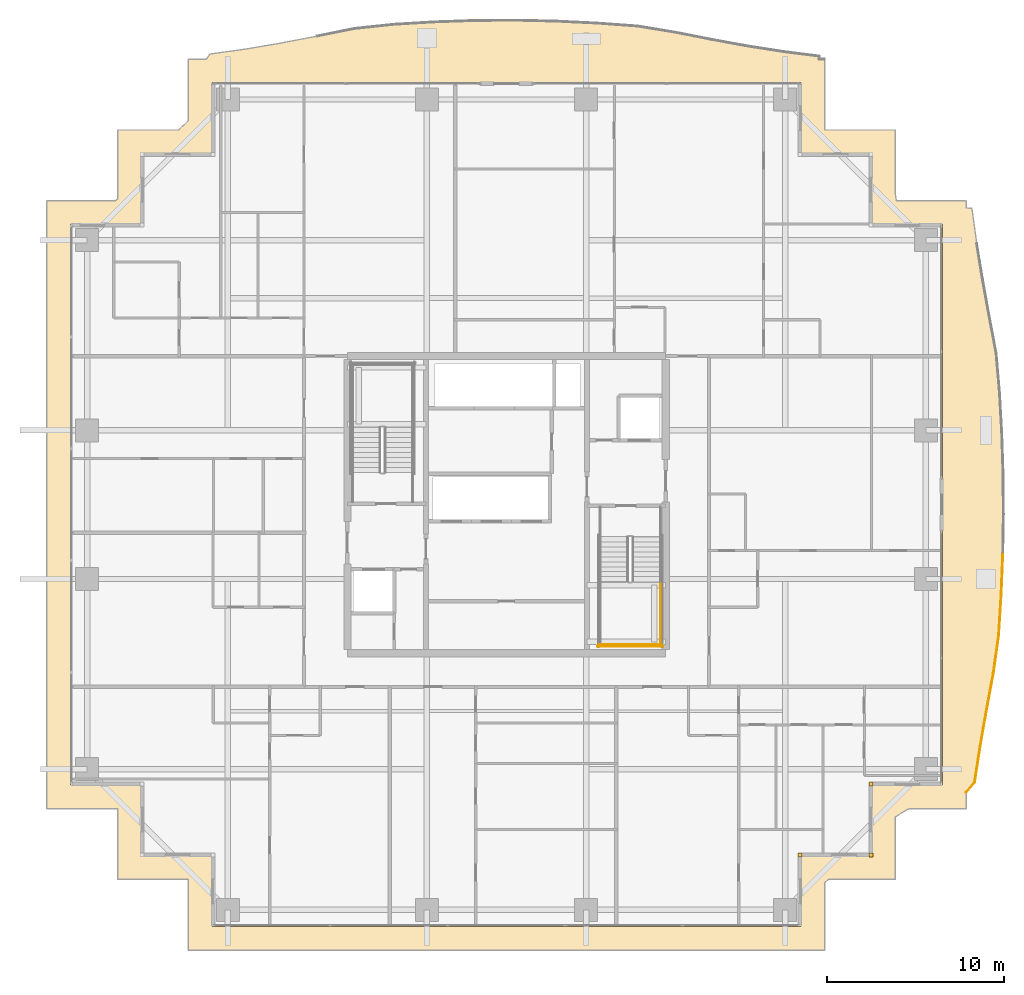
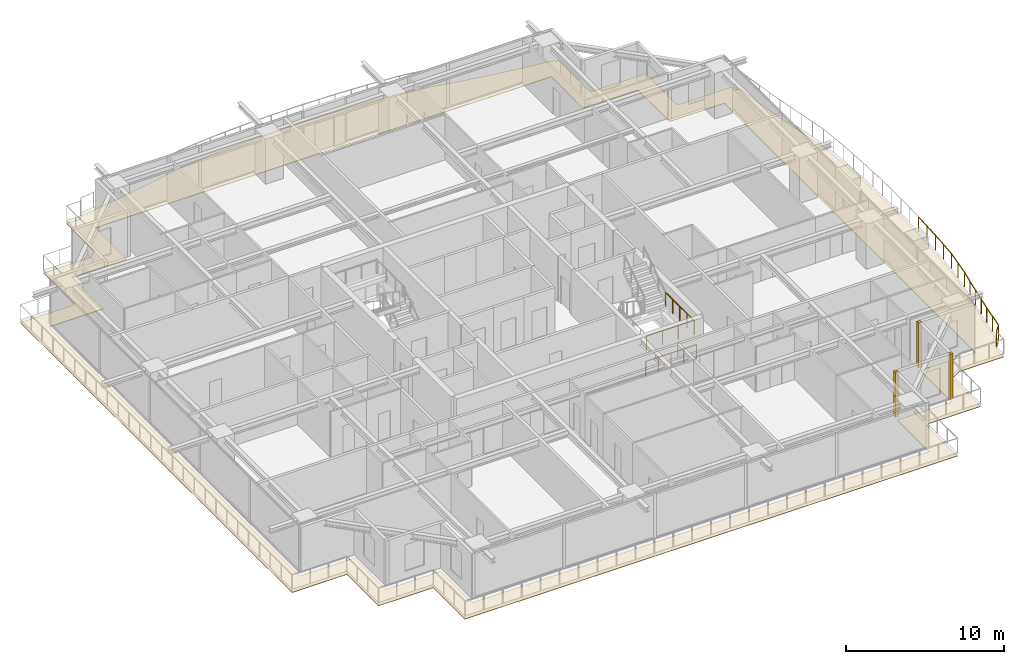
# One storey, part 31 of 33: 4 coverings, 4 railings.
"""IFC4 building model written with IfcOpenShell, lengths in metres."""

import ifcopenshell
import ifcopenshell.guid

model = None  # the IFC model being written
_history = None  # IfcOwnerHistory: only IFC2X3 demands one
_inside = {}  # id of a spatial element -> (the spatial element, [elements in it])
_under = {}  # id of a project, library or spatial element -> (it, [spatial elements below it])
_declared = {}  # id of a project -> (the project, [libraries it declares])
_typed = {}  # id of a type object -> (the type object, [elements of that type])
_made_of = {}  # id of a material, layer set ... -> (it, [elements and type objects made of it])


def new_model(schema):
    """Start an empty IFC model of exactly this schema.

    Asked for "IFC4X3", IfcOpenShell would pick the latest addendum, in which some entities
    have other attributes; the version numbers below select the first issue.
    IFC2X3 requires an IfcOwnerHistory on every rooted entity: one is made here for all.
    """
    global model, _history
    if schema == "IFC4X3":
        model = ifcopenshell.file(schema_version=(4, 3, 0, 0))
    else:
        model = ifcopenshell.file(schema=schema)
    _inside.clear()
    _under.clear()
    _declared.clear()
    _typed.clear()
    _made_of.clear()
    _history = None
    if model.schema == "IFC2X3":
        org = make("IfcOrganization", Name="unknown")
        user = make(
            "IfcPersonAndOrganization",
            ThePerson=make("IfcPerson", FamilyName="unknown"),
            TheOrganization=org,
        )
        app = make(
            "IfcApplication",
            ApplicationDeveloper=org,
            Version="unknown",
            ApplicationFullName="unknown",
            ApplicationIdentifier="unknown",
        )
        _history = make(
            "IfcOwnerHistory",
            OwningUser=user,
            OwningApplication=app,
            ChangeAction="ADDED",
            CreationDate=0,
        )
    return model


def make(cls, **values):
    """One entity of the class cls with the attributes given. An attribute that is None is left unset."""
    return model.create_entity(
        cls, **{name: value for name, value in values.items() if value is not None}
    )


def rooted(cls, **values):
    """An entity with a GlobalId (a new one), such as an element, a storey or a relation."""
    return make(cls, GlobalId=ifcopenshell.guid.new(), OwnerHistory=_history, **values)


def si_unit(unit_type, name, prefix=None):
    """IfcSIUnit, for example si_unit("LENGTHUNIT", "METRE", prefix="MILLI")."""
    return make("IfcSIUnit", UnitType=unit_type, Prefix=prefix, Name=name)


def assignment(units):
    """IfcUnitAssignment: the units of a project."""
    return None if units is None else make("IfcUnitAssignment", Units=units)


def point(xyz):
    """IfcCartesianPoint."""
    return None if xyz is None else make("IfcCartesianPoint", Coordinates=xyz)


def direction(xyz):
    """IfcDirection."""
    return None if xyz is None else make("IfcDirection", DirectionRatios=xyz)


def frame(location, z_axis=None, x_axis=None):
    """IfcAxis2Placement3D, a coordinate frame: its origin and axes. An axis left out is left unset."""
    return make(
        "IfcAxis2Placement3D",
        Location=point(location),
        Axis=direction(z_axis),
        RefDirection=direction(x_axis),
    )


def frame_2d(location, x_axis=None):
    """IfcAxis2Placement2D, a coordinate frame in the plane: its origin and x axis."""
    return make(
        "IfcAxis2Placement2D", Location=point(location), RefDirection=direction(x_axis)
    )


def origin():
    """The frame at (0, 0, 0) with its axes left unset."""
    return frame((0.0, 0.0, 0.0))


def origin_2d():
    """The frame at (0, 0) in the plane with its x axis left unset."""
    return frame_2d((0.0, 0.0))


def place(relative_to, where):
    """IfcLocalPlacement: puts the frame where relative to a parent placement (None: the world)."""
    return make(
        "IfcLocalPlacement", PlacementRelTo=relative_to, RelativePlacement=where
    )


def context(
    kind, dimensions, precision=None, world=None, true_north=None, identifier=None
):
    """IfcGeometricRepresentationContext, for example the 3D "Model" context."""
    return make(
        "IfcGeometricRepresentationContext",
        ContextIdentifier=identifier,
        ContextType=kind,
        CoordinateSpaceDimension=dimensions,
        Precision=precision,
        WorldCoordinateSystem=world,
        TrueNorth=true_north,
    )


def subcontext(parent, identifier, kind, view, scale=None):
    """IfcGeometricRepresentationSubContext, for example "Body" below "Model"."""
    return make(
        "IfcGeometricRepresentationSubContext",
        ContextIdentifier=identifier,
        ContextType=kind,
        ParentContext=parent,
        TargetScale=scale,
        TargetView=view,
    )


def project(units=None, contexts=None):
    """IfcProject with its units and contexts."""
    return rooted(
        "IfcProject",
        Name="project",
        RepresentationContexts=contexts,
        UnitsInContext=assignment(units),
    )


def spatial(cls, under=None, at=None, **own):
    """A site, building, storey or space (cls), placed at a placement, below another one or the project."""
    s = rooted(cls, ObjectPlacement=at, **own)
    if under is not None:
        _under.setdefault(under.id(), (under, []))[1].append(s)
    return s


def polyline(points):
    """IfcPolyline through the points."""
    return make("IfcPolyline", Points=[point(p) for p in points])


def profile(cls, at=None, kind="AREA", **sizes):
    """A parametric profile (cls). Its sizes go by their IFC names, for example OverallWidth=200.0."""
    return make(cls, ProfileType=kind, Position=at, **sizes)


def rectangle(**sizes):
    """IfcRectangleProfileDef."""
    return profile("IfcRectangleProfileDef", **sizes)


def circle(**sizes):
    """IfcCircleProfileDef."""
    return profile("IfcCircleProfileDef", **sizes)


def outline(outer, holes=None, kind="AREA"):
    """IfcArbitraryClosedProfileDef: a profile drawn as a closed curve; with holes, ...WithVoids."""
    if holes is None:
        return make("IfcArbitraryClosedProfileDef", ProfileType=kind, OuterCurve=outer)
    return make(
        "IfcArbitraryProfileDefWithVoids",
        ProfileType=kind,
        OuterCurve=outer,
        InnerCurves=holes,
    )


def extrude(swept, where, along, depth):
    """IfcExtrudedAreaSolid: the profile swept, set in the frame where, extruded along a direction by depth."""
    return make(
        "IfcExtrudedAreaSolid",
        SweptArea=swept,
        Position=where,
        ExtrudedDirection=direction(along),
        Depth=depth,
    )


def shape(context_of_items, identifier, shape_type, items):
    """IfcShapeRepresentation: the items that make up one representation, for example the "Body"."""
    return make(
        "IfcShapeRepresentation",
        ContextOfItems=context_of_items,
        RepresentationIdentifier=identifier,
        RepresentationType=shape_type,
        Items=items,
    )


def source(mapping_origin, context_of_items, identifier, shape_type, items):
    """IfcRepresentationMap: a shape defined once, which mapped items show again and again."""
    return make(
        "IfcRepresentationMap",
        MappingOrigin=mapping_origin,
        MappedRepresentation=shape(context_of_items, identifier, shape_type, items),
    )


def transform(
    local_origin,
    x_axis=None,
    y_axis=None,
    z_axis=None,
    scale=None,
    scale2=None,
    scale3=None,
    uniform=True,
):
    """IfcCartesianTransformationOperator3D, or its non-uniform kind. x_axis, y_axis, z_axis: its Axis1, 2, 3."""
    if uniform:
        return make(
            "IfcCartesianTransformationOperator3D",
            Axis1=direction(x_axis),
            Axis2=direction(y_axis),
            LocalOrigin=point(local_origin),
            Scale=scale,
            Axis3=direction(z_axis),
        )
    return make(
        "IfcCartesianTransformationOperator3DnonUniform",
        Axis1=direction(x_axis),
        Axis2=direction(y_axis),
        LocalOrigin=point(local_origin),
        Scale=scale,
        Axis3=direction(z_axis),
        Scale2=scale2,
        Scale3=scale3,
    )


def mapped(mapping_source, mapping_target):
    """IfcMappedItem: shows the shape of a source again, moved by a transform."""
    return make(
        "IfcMappedItem", MappingSource=mapping_source, MappingTarget=mapping_target
    )


def material(Name=None, Category=None):
    """IfcMaterial."""
    return make("IfcMaterial", Name=Name, Category=Category)


def layer(
    of_material, thickness, ventilated=None, Name=None, Category=None, Priority=None
):
    """IfcMaterialLayer: one layer of a wall or slab, of a material (None: an air gap)."""
    return make(
        "IfcMaterialLayer",
        Material=of_material,
        LayerThickness=thickness,
        IsVentilated=ventilated,
        Name=Name,
        Category=Category,
        Priority=Priority,
    )


def layer_set(layers, Name=None):
    """IfcMaterialLayerSet."""
    return make("IfcMaterialLayerSet", MaterialLayers=layers, LayerSetName=Name)


def made_of(thing, what):
    """Note that an element or type object is made of a material, layer set ...; save() writes the relation."""
    if what is not None:
        _made_of.setdefault(what.id(), (what, []))[1].append(thing)
    return thing


def type_object(cls, material=None, **own):
    """A type object (cls), such as IfcWallType, which elements share."""
    return made_of(rooted(cls, **own), material)


def element(
    cls,
    number,
    at=None,
    inside=None,
    cuts=None,
    type_object=None,
    material=None,
    context=None,
    identifier="Body",
    shape_type=None,
    held_by="IfcProductDefinitionShape",
    body=None,
    shapes=None,
    **own,
):
    """One element of the class cls, such as IfcWall. Its Tag is "e" and its number.

    at: its placement. inside: the storey or other place that contains it. cuts: it is an
    opening in that element (IfcRelVoidsElement). A single representation is given by context,
    identifier, shape_type and body (its items); several are given by shapes. held_by: the class
    of the entity that holds the representations. save() writes the other relations.
    """
    e = rooted(cls, Tag="e%d" % number, ObjectPlacement=at, **own)
    if body is not None:
        shapes = [shape(context, identifier, shape_type, body)]
    if shapes is not None:
        e.Representation = make(held_by, Representations=shapes)
    if inside is not None:
        _inside.setdefault(inside.id(), (inside, []))[1].append(e)
    if cuts is not None:
        rooted(
            "IfcRelVoidsElement", RelatingBuildingElement=cuts, RelatedOpeningElement=e
        )
    if type_object is not None:
        _typed.setdefault(type_object.id(), (type_object, []))[1].append(e)
    return made_of(e, material)


def aggregate(whole, parts):
    """IfcRelAggregates: a whole, such as a stair, and the parts it consists of."""
    return rooted("IfcRelAggregates", RelatingObject=whole, RelatedObjects=parts)


def save(model, path):
    """Write the relations noted so far, then the file.

    IfcRelAggregates (storeys below a building ...), IfcRelContainedInSpatialStructure (elements
    in a storey), IfcRelDefinesByType, IfcRelAssociatesMaterial and IfcRelDeclares: one each for
    every whole, place, type object, material and project.
    """
    for whole, parts in _under.values():
        aggregate(whole, parts)
    for where, things in _inside.values():
        rooted(
            "IfcRelContainedInSpatialStructure",
            RelatedElements=things,
            RelatingStructure=where,
        )
    for kind, things in _typed.values():
        rooted("IfcRelDefinesByType", RelatedObjects=things, RelatingType=kind)
    for what, things in _made_of.values():
        rooted("IfcRelAssociatesMaterial", RelatedObjects=things, RelatingMaterial=what)
    for by, libraries in _declared.values():
        rooted("IfcRelDeclares", RelatingContext=by, RelatedDefinitions=libraries)
    model.write(path)


model = new_model("IFC4")

# Units and contexts
model_context = context("Model", 3, precision=1e-05, world=origin(), true_north=direction((0.0, 1.0)))
body_context = subcontext(model_context, "Body", "Model", "MODEL_VIEW")
ifc_project = project(units=[si_unit("LENGTHUNIT", "METRE"), si_unit("AREAUNIT", "SQUARE_METRE"), si_unit("VOLUMEUNIT", "CUBIC_METRE"), si_unit("PLANEANGLEUNIT", "RADIAN"), si_unit("MASSUNIT", "GRAM", prefix="KILO")], contexts=[model_context])

# Site, building, storey
site_placement = place(None, origin())
site = spatial("IfcSite", under=ifc_project, at=site_placement, CompositionType="ELEMENT")
building_placement = place(site_placement, origin())
building = spatial("IfcBuilding", under=site, at=building_placement, Name="Serunith Strait Residences", CompositionType="ELEMENT")
storey_placement = place(building_placement, frame((0.0, 0.0, 165.14990234375)))
storey = spatial("IfcBuildingStorey", under=building, at=storey_placement, Name="L41", CompositionType="ELEMENT", Elevation=165.14990234375)

# Covering
ifc_material_1 = material(Name="Golden Teak Exterior Timber Boarding", Category="wood")
ifc_layer_1 = layer(ifc_material_1, 0.034912109375, Name="Golden Teak Exterior Timber Boarding")
ifc_layer_set_1 = layer_set([ifc_layer_1], Name="Golden Teak Exterior Timber Boarding")
covering_type_1 = type_object("IfcCoveringType", Name="COV-TEAK-SOFFIT", PredefinedType="CEILING", material=ifc_layer_set_1)
covering_placement = place(storey_placement, frame((0.0, 0.0, -0.324951171875)))
element("IfcCovering", 1, at=covering_placement, inside=storey, type_object=covering_type_1, Name="L41 Golden-Teak Balcony Soffit Lining", PredefinedType="CEILING", context=body_context, shape_type="SweptSolid", body=[
    extrude(outline(polyline([(10.419921875, 46.3798828125), (13.87158203125, 46.3798828125), (14.419921875, 46.90869140625), (14.419921875, 50.3798828125), (15.4287109375, 50.3798828125), (15.634765625, 50.6689453125), (17.631591796875, 50.949951171875), (19.646728515625, 51.291015625), (21.69873046875, 51.68408203125), (23.808349609375, 52.105224609375), (26.03271484375, 52.341796875), (28.31201171875, 52.47802734375), (30.618408203125, 52.5576171875), (32.936767578125, 52.572021484375), (35.25048828125, 52.519775390625), (37.544189453125, 52.40673828125), (39.804931640625, 52.244140625), (41.968994140625, 51.888427734375), (44.0478515625, 51.476806640625), (46.07958984375, 51.107666015625), (48.083984375, 50.79638671875), (50.077392578125, 50.544921875), (50.076171875, 50.3798828125), (50.3798828125, 50.3798828125), (50.3798828125, 46.3798828125), (54.3798828125, 46.3798828125), (54.3798828125, 42.741943359375), (54.43310546875, 42.3798828125), (58.3798828125, 42.3798828125), (58.3798828125, 41.971923828125), (58.705810546875, 41.953125), (58.982666015625, 39.9501953125), (59.31298828125, 37.927001953125), (59.6875, 35.8671875), (60.083251953125, 33.752685546875), (60.27587890625, 31.52685546875), (60.4013671875, 29.259765625), (60.477294921875, 26.968994140625), (60.49658203125, 24.6669921875), (60.457275390625, 22.36767578125), (60.363037109375, 20.084716796875), (60.222412109375, 17.82958984375), (59.920166015625, 15.65380859375), (59.52978515625, 13.56494140625), (59.17236328125, 11.523681640625), (58.8642578125, 9.511474609375), (58.3798828125, 8.943115234375), (58.3798828125, 8.02001953125), (55.150390625, 8.02001953125), (54.3798828125, 7.55908203125), (54.3798828125, 4.02001953125), (50.60400390625, 4.02001953125), (50.3798828125, 3.839599609375), (50.3798828125, 0.02001953125), (14.419921875, 0.02001953125), (14.419921875, 4.02001953125), (10.419921875, 4.02001953125), (10.419921875, 8.02001953125), (6.419921875, 8.02001953125), (6.419921875, 42.3798828125), (10.284912109375, 42.3798828125), (10.419921875, 42.47802734375), (10.419921875, 46.3798828125)]), holes=[polyline([(49.054931640625, 1.344970703125), (49.054931640625, 5.344970703125), (53.054931640625, 5.344970703125), (53.054931640625, 9.344970703125), (57.054931640625, 9.344970703125), (57.054931640625, 41.054931640625), (53.054931640625, 41.054931640625), (53.054931640625, 45.054931640625), (49.054931640625, 45.054931640625), (49.054931640625, 49.054931640625), (15.7451171875, 49.054931640625), (15.7451171875, 45.054931640625), (11.7451171875, 45.054931640625), (11.7451171875, 41.054931640625), (7.7451171875, 41.054931640625), (7.7451171875, 9.344970703125), (11.7451171875, 9.344970703125), (11.7451171875, 5.344970703125), (15.7451171875, 5.344970703125), (15.7451171875, 1.344970703125), (49.054931640625, 1.344970703125)])]), origin(), (0.0, 0.0, 1.0), 0.03515625),
])

# Railings
ifc_material_2 = material(Name="Stainless Steel & Laminated Glass Balustrade", Category="steel")
railing_type_1 = type_object("IfcRailingType", Name="RLG-BALC-1150", PredefinedType="BALUSTRADE", material=ifc_material_2)
railing_1_placement = place(storey_placement, frame((60.457275390625, 22.36767578125, -0.0498046875)))
element("IfcRailing", 2, at=railing_1_placement, inside=storey, type_object=railing_type_1, Name="L41 Swirling Balcony Perimeter Balustrade 6", PredefinedType="BALUSTRADE", context=body_context, shape_type="SweptSolid", body=[
    extrude(circle(Radius=0.02392578125, at=origin_2d()), frame((0.0, -0.001953125, 1.1259765625), z_axis=(-0.041243883658, -0.999149109023, 0.0), x_axis=(0.999149109023, -0.041243883658, 0.0)), (0.0, 0.0, 1.0), 2.281005859375),
    extrude(circle(Radius=0.02392578125, at=origin_2d()), frame((-0.094482421875, -2.284912109375, 1.1259765625), z_axis=(-0.062237021215, -0.998061397505, 0.0), x_axis=(0.998061397505, -0.062237021215, 0.0)), (0.0, 0.0, 1.0), 2.255615234375),
    extrude(circle(Radius=0.02392578125, at=origin_2d()), frame((-0.235107421875, -4.5400390625, 1.1259765625), z_axis=(-0.13759260183, -0.990488907521, 0.0), x_axis=(0.990488907521, -0.13759260183, 0.0)), (0.0, 0.0, 1.0), 2.192626953125),
    extrude(circle(Radius=0.02392578125, at=origin_2d()), frame((-0.53759765625, -6.7158203125, 1.1259765625), z_axis=(-0.183705825687, -0.982981266153, 0.0), x_axis=(0.982981266153, -0.183705825687, 0.0)), (0.0, 0.0, 1.0), 2.12109375),
    extrude(circle(Radius=0.02392578125, at=origin_2d()), frame((-0.927734375, -8.8046875, 1.1259765625), z_axis=(-0.172474636552, -0.985013959163, 0.0), x_axis=(0.985013959163, -0.172474636552, 0.0)), (0.0, 0.0, 1.0), 2.068359375),
    extrude(circle(Radius=0.02392578125, at=origin_2d()), frame((-1.28515625, -10.845947265625, 1.1259765625), z_axis=(-0.151354191725, -0.988479594452, 0.0), x_axis=(0.988479594452, -0.151354191725, 0.0)), (0.0, 0.0, 1.0), 2.03173828125),
    extrude(circle(Radius=0.02392578125, at=origin_2d()), frame((-1.59423828125, -12.857666015625, 1.1259765625), z_axis=(-0.648634843953, -0.761099756412, 0.0), x_axis=(0.761099756412, -0.648634843953, 0.0)), (0.0, 0.0, 1.0), 0.74267578125),
    extrude(circle(Radius=0.02099609375, at=origin_2d()), origin(), (0.0, 0.0, 1.0), 1.099853515625),
    extrude(circle(Radius=0.02099609375, at=origin_2d()), frame((-0.047119140625, -1.1416015625, 0.0)), (0.0, 0.0, 1.0), 1.099853515625),
    extrude(circle(Radius=0.02099609375, at=origin_2d()), frame((-0.09423828125, -2.282958984375, 0.0)), (0.0, 0.0, 1.0), 1.099853515625),
    extrude(circle(Radius=0.02099609375, at=origin_2d()), frame((-0.16455078125, -3.41064453125, 0.0)), (0.0, 0.0, 1.0), 1.099853515625),
    extrude(circle(Radius=0.02099609375, at=origin_2d()), frame((-0.23486328125, -4.5380859375, 0.0)), (0.0, 0.0, 1.0), 1.099853515625),
    extrude(circle(Radius=0.02099609375, at=origin_2d()), frame((-0.385986328125, -5.6259765625, 0.0)), (0.0, 0.0, 1.0), 1.099853515625),
    extrude(circle(Radius=0.02099609375, at=origin_2d()), frame((-0.537109375, -6.7138671875, 0.0)), (0.0, 0.0, 1.0), 1.099853515625),
    extrude(circle(Radius=0.02099609375, at=origin_2d()), frame((-0.732421875, -7.75830078125, 0.0)), (0.0, 0.0, 1.0), 1.099853515625),
    extrude(circle(Radius=0.02099609375, at=origin_2d()), frame((-0.927490234375, -8.802734375, 0.0)), (0.0, 0.0, 1.0), 1.099853515625),
    extrude(circle(Radius=0.02099609375, at=origin_2d()), frame((-1.106201171875, -9.8232421875, 0.0)), (0.0, 0.0, 1.0), 1.099853515625),
    extrude(circle(Radius=0.02099609375, at=origin_2d()), frame((-1.284912109375, -10.843994140625, 0.0)), (0.0, 0.0, 1.0), 1.099853515625),
    extrude(circle(Radius=0.02099609375, at=origin_2d()), frame((-1.43896484375, -11.85009765625, 0.0)), (0.0, 0.0, 1.0), 1.099853515625),
    extrude(circle(Radius=0.02099609375, at=origin_2d()), frame((-1.593017578125, -12.856201171875, 0.0)), (0.0, 0.0, 1.0), 1.099853515625),
    extrude(circle(Radius=0.02099609375, at=origin_2d()), frame((-2.077392578125, -13.424560546875, 0.0)), (0.0, 0.0, 1.0), 1.099853515625),
])
ifc_material_3 = material(Name="Brushed stainless steel 316L", Category="steel")
railing_type_2 = type_object("IfcRailingType", Name="RLG-STAIR-GUARD", PredefinedType="BALUSTRADE", material=ifc_material_3)
railing_2_placement = place(storey_placement, frame((41.10009765625, 20.85009765625, 1.875)))
element("IfcRailing", 3, at=railing_2_placement, inside=storey, type_object=railing_type_2, Name="L41 ST-2 stair guard 4", PredefinedType="BALUSTRADE", context=body_context, shape_type="SweptSolid", body=[
    extrude(circle(Radius=0.02392578125, at=origin_2d()), frame((0.0, -0.001953125, 1.076171875), z_axis=(0.0, -1.0, 0.0), x_axis=(1.0, 0.0, 0.0)), (0.0, 0.0, 1.0), 3.59619140625),
    extrude(circle(Radius=0.02099609375, at=origin_2d()), origin(), (0.0, 0.0, 1.0), 1.050048828125),
    extrude(circle(Radius=0.02099609375, at=origin_2d()), frame((0.0, -0.89990234375, 0.0)), (0.0, 0.0, 1.0), 1.050048828125),
    extrude(circle(Radius=0.02099609375, at=origin_2d()), frame((0.0, -1.800048828125, 0.0)), (0.0, 0.0, 1.0), 1.050048828125),
    extrude(circle(Radius=0.02099609375, at=origin_2d()), frame((0.0, -2.7001953125, 0.0)), (0.0, 0.0, 1.0), 1.050048828125),
    extrude(circle(Radius=0.02099609375, at=origin_2d()), frame((0.0, -3.60009765625, 0.0)), (0.0, 0.0, 1.0), 1.050048828125),
])
railing_3_placement = place(storey_placement, frame((37.64990234375, 17.300048828125, 1.875)))
element("IfcRailing", 4, at=railing_3_placement, inside=storey, type_object=railing_type_2, Name="L41 ST-2 stair guard 5", PredefinedType="BALUSTRADE", context=body_context, shape_type="SweptSolid", body=[
    extrude(circle(Radius=0.02392578125, at=origin_2d()), frame((0.001953125, 0.0, 1.076171875), z_axis=(1.0, 0.0, 0.0), x_axis=(0.0, 1.0, 0.0)), (0.0, 0.0, 1.0), 3.49609375),
    extrude(circle(Radius=0.02099609375, at=origin_2d()), origin(), (0.0, 0.0, 1.0), 1.050048828125),
    extrude(circle(Radius=0.02099609375, at=origin_2d()), frame((1.166748046875, 0.0, 0.0)), (0.0, 0.0, 1.0), 1.050048828125),
    extrude(circle(Radius=0.02099609375, at=origin_2d()), frame((2.333251953125, 0.0, 0.0)), (0.0, 0.0, 1.0), 1.050048828125),
    extrude(circle(Radius=0.02099609375, at=origin_2d()), frame((3.5, 0.0, 0.0)), (0.0, 0.0, 1.0), 1.050048828125),
])
railing_4_placement = place(storey_placement, frame((37.550048828125, 17.199951171875, 0.0)))
element("IfcRailing", 5, at=railing_4_placement, inside=storey, type_object=railing_type_2, Name="L41 ST-2 stair guard 12", PredefinedType="BALUSTRADE", context=body_context, shape_type="SweptSolid", body=[
    extrude(circle(Radius=0.02392578125, at=origin_2d()), frame((0.001953125, 0.0, 1.076171875), z_axis=(1.0, 0.0, 0.0), x_axis=(0.0, 1.0, 0.0)), (0.0, 0.0, 1.0), 3.696044921875),
    extrude(circle(Radius=0.02099609375, at=origin_2d()), origin(), (0.0, 0.0, 1.0), 1.050048828125),
    extrude(circle(Radius=0.02099609375, at=origin_2d()), frame((0.925048828125, 0.0, 0.0)), (0.0, 0.0, 1.0), 1.050048828125),
    extrude(circle(Radius=0.02099609375, at=origin_2d()), frame((1.85009765625, 0.0, 0.0)), (0.0, 0.0, 1.0), 1.050048828125),
    extrude(circle(Radius=0.02099609375, at=origin_2d()), frame((2.77490234375, 0.0, 0.0)), (0.0, 0.0, 1.0), 1.050048828125),
    extrude(circle(Radius=0.02099609375, at=origin_2d()), frame((3.699951171875, 0.0, 0.0)), (0.0, 0.0, 1.0), 1.050048828125),
])

# Coverings
ifc_material_4 = material(Name="Pale-Champagne Anodised Aluminium", Category="aluminium")
ifc_layer_2 = layer(ifc_material_4, 0.219970703125, Name="Pale-Champagne Anodised Aluminium")
ifc_layer_set_2 = layer_set([ifc_layer_2], Name="Pale-Champagne Anodised Aluminium")
covering_type_2 = type_object("IfcCoveringType", Name="COV-CORN-TRIM", PredefinedType="CLADDING", material=ifc_layer_set_2)
shared_shape = source(origin(), body_context, "Body", "SweptSolid", [
    extrude(rectangle(XDim=0.221923828125, YDim=0.221923828125, at=origin_2d()), origin(), (0.0, 0.0, 1.0), 3.47509765625),
])
for number, where, z_axis, x_axis, name in (
    (6, (49.0, 5.39990234375, 0.0), (0.0, 0.0, 1.0), (1.0, 0.0, 0.0), "L41 Girih Serrated Corner Trim Post 02"),
    (7, (53.0, 5.39990234375, 0.0), (0.0, 0.0, 1.0), (1.0, 0.0, 0.0), "L41 Girih Serrated Corner Trim Post 03"),
    (8, (53.0, 9.39990234375, 0.0), (0.0, 0.0, 1.0), (1.0, 0.0, 0.0), "L41 Girih Serrated Corner Trim Post 04"),
):
    element("IfcCovering", number, at=place(storey_placement, frame(where, z_axis=z_axis, x_axis=x_axis)), inside=storey, type_object=covering_type_2, Name=name, PredefinedType="CLADDING", context=body_context, shape_type="MappedRepresentation", body=[
        mapped(shared_shape, transform((0.0, 0.0, 0.0), scale=1.0)),
    ])

save(model, "model.ifc")
